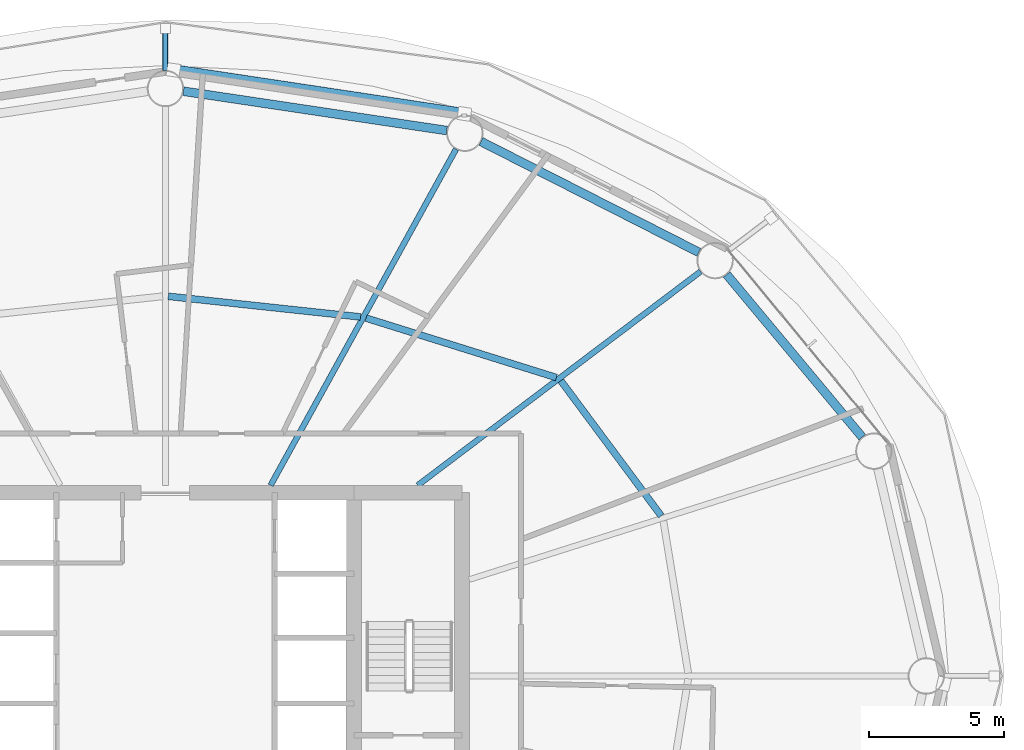
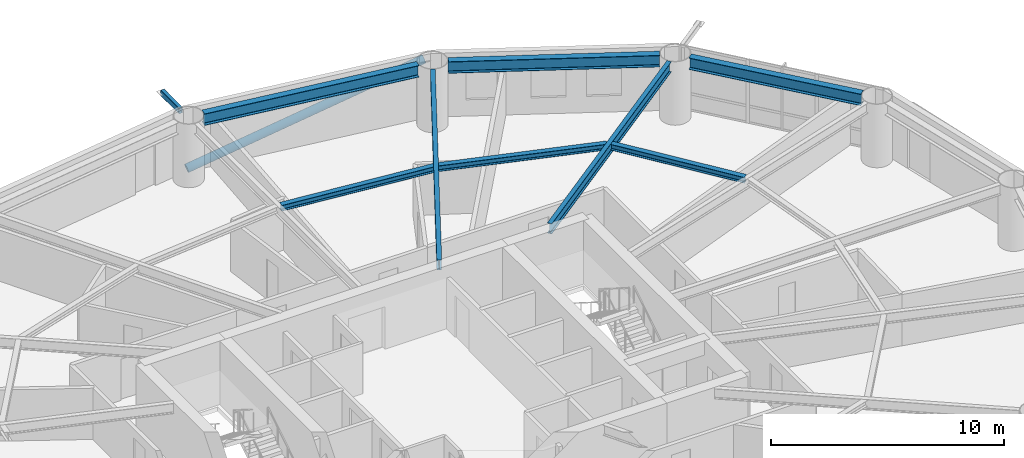
# One storey, part 11 of 24: 8 beams, 2 members.
"""IFC4 building model written with IfcOpenShell, lengths in metres."""

from ifc_helpers import new_model, si_unit, direction, frame, origin, origin_2d, place, context, subcontext, project, spatial, hollow_rectangle, hollow_circle, i_section, extrude, material, material_profile, profile_set, type_object, element, save


model = new_model("IFC4")

# Units and contexts
model_context = context("Model", 3, precision=1e-05, world=origin(), true_north=direction((0.0, 1.0)))
body_context = subcontext(model_context, "Body", "Model", "MODEL_VIEW")
ifc_project = project(units=[si_unit("LENGTHUNIT", "METRE"), si_unit("AREAUNIT", "SQUARE_METRE"), si_unit("VOLUMEUNIT", "CUBIC_METRE"), si_unit("PLANEANGLEUNIT", "RADIAN"), si_unit("MASSUNIT", "GRAM", prefix="KILO")], contexts=[model_context])

# Site, building, storey
site_placement = place(None, origin())
site = spatial("IfcSite", under=ifc_project, at=site_placement, CompositionType="ELEMENT")
building_placement = place(site_placement, origin())
building = spatial("IfcBuilding", under=site, at=building_placement, Name="Sarneth Arch Tower", CompositionType="ELEMENT")
storey_placement = place(building_placement, frame((0.0, 0.0, 130.800048828125)))
storey = spatial("IfcBuildingStorey", under=building, at=storey_placement, Name="L33", CompositionType="ELEMENT", Elevation=130.800048828125)

# Beams
ifc_material_1 = material(Name="Steel S355", Category="steel")
ifc_material_profile_1 = material_profile(ifc_material_1, i_section(OverallWidth=0.25390625, OverallDepth=0.305908203125, WebThickness=0.0087890625, FlangeThickness=0.0146484375, FilletRadius=0.014892578125, at=origin_2d()), Name="W310x79")
ifc_profile_set_1 = profile_set([ifc_material_profile_1], Name="Steel S355")
beam_type_1 = type_object("IfcBeamType", Name="BM-JOIST-310A", PredefinedType="JOIST", material=ifc_profile_set_1)
beam_1_placement = place(storey_placement, frame((66.3984375, 47.942626953125, 3.1669921875), z_axis=(-0.596354224217, 0.80272139579, 0.0), x_axis=(-0.80272139579, -0.596354224217, 0.0)))
element("IfcBeam", 1, at=beam_1_placement, inside=storey, type_object=beam_type_1, Name="L33 Secondary floor joist 02", PredefinedType="JOIST", context=body_context, shape_type="SweptSolid", body=[
    extrude(i_section(OverallWidth=0.25390625, OverallDepth=0.305908203125, WebThickness=0.0087890625, FlangeThickness=0.0146484375, FilletRadius=0.014892578125, at=origin_2d()), origin(), (0.0, 0.0, 1.0), 6.246337890625),
])
beam_2_placement = place(storey_placement, frame((62.509765625, 53.072998046875, 3.1669921875), z_axis=(-0.9544870201, 0.298252457594, 0.0), x_axis=(-0.298252457594, -0.9544870201, 0.0)))
element("IfcBeam", 2, at=beam_2_placement, inside=storey, type_object=beam_type_1, Name="L33 Secondary floor joist 03", PredefinedType="JOIST", context=body_context, shape_type="SweptSolid", body=[
    extrude(i_section(OverallWidth=0.25390625, OverallDepth=0.305908203125, WebThickness=0.0087890625, FlangeThickness=0.0146484375, FilletRadius=0.014892578125, at=origin_2d()), origin(), (0.0, 0.0, 1.0), 7.40234375),
])
beam_3_placement = place(storey_placement, frame((55.238525390625, 55.323486328125, 3.1669921875), z_axis=(-0.99429330851, 0.106680910441, 0.0), x_axis=(-0.106680910441, -0.99429330851, 0.0)))
element("IfcBeam", 3, at=beam_3_placement, inside=storey, type_object=beam_type_1, Name="L33 Secondary floor joist 04", PredefinedType="JOIST", context=body_context, shape_type="SweptSolid", body=[
    extrude(i_section(OverallWidth=0.25390625, OverallDepth=0.305908203125, WebThickness=0.0087890625, FlangeThickness=0.0146484375, FilletRadius=0.014892578125, at=origin_2d()), origin(), (0.0, 0.0, 1.0), 7.174560546875),
])
ifc_material_2 = material(Name="Steel S355", Category="steel")
ifc_material_profile_2 = material_profile(ifc_material_2, i_section(OverallWidth=0.2109375, OverallDepth=0.5390625, WebThickness=0.01171875, FlangeThickness=0.018798828125, FilletRadius=0.01806640625, at=origin_2d()), Name="W530x109")
ifc_profile_set_2 = profile_set([ifc_material_profile_2], Name="Steel S355")
beam_type_2 = type_object("IfcBeamType", Name="BM-RAD-530B", PredefinedType="BEAM", material=ifc_profile_set_2)
beam_4_placement = place(storey_placement, frame((57.36181640625, 49.074951171875, 3.050537109375), z_axis=(0.797801476102, 0.602920230818, 0.0), x_axis=(-0.602920230818, 0.797801476102, 0.0)))
element("IfcBeam", 4, at=beam_4_placement, inside=storey, type_object=beam_type_2, Name="L33 Radial floor girder 03", PredefinedType="BEAM", context=body_context, shape_type="SweptSolid", body=[
    extrude(i_section(OverallWidth=0.2109375, OverallDepth=0.5390625, WebThickness=0.01171875, FlangeThickness=0.018798828125, FilletRadius=0.01806640625, at=origin_2d()), origin(), (0.0, 0.0, 1.0), 13.15771484375),
])
beam_5_placement = place(storey_placement, frame((51.90283203125, 49.074951171875, 3.050537109375), z_axis=(0.48301301286, 0.875613173387, 0.0), x_axis=(-0.875613173387, 0.48301301286, 0.0)))
element("IfcBeam", 5, at=beam_5_placement, inside=storey, type_object=beam_type_2, Name="L33 Radial floor girder 04", PredefinedType="BEAM", context=body_context, shape_type="SweptSolid", body=[
    extrude(i_section(OverallWidth=0.2109375, OverallDepth=0.5390625, WebThickness=0.01171875, FlangeThickness=0.018798828125, FilletRadius=0.01806640625, at=origin_2d()), origin(), (0.0, 0.0, 1.0), 14.246826171875),
])
ifc_material_3 = material(Name="Steel S355", Category="steel")
ifc_material_profile_3 = material_profile(ifc_material_3, i_section(OverallWidth=0.323974609375, OverallDepth=0.611083984375, WebThickness=0.0126953125, FlangeThickness=0.01904296875, FilletRadius=0.01904296875, at=origin_2d()), Name="W610x155")
ifc_profile_set_3 = profile_set([ifc_material_profile_3], Name="Steel S355")
beam_type_3 = type_object("IfcBeamType", Name="BM-SPAN-610B", PredefinedType="SPANDREL", material=ifc_profile_set_3)
beam_6_placement = place(storey_placement, frame((73.859130859375, 50.861083984375, 3.014404296875), z_axis=(-0.640169116175, 0.768234015581, 0.0), x_axis=(-0.768234015581, -0.640169116175, 0.0)))
element("IfcBeam", 6, at=beam_6_placement, inside=storey, type_object=beam_type_3, Name="L33 Perimeter spandrel beam 02", PredefinedType="SPANDREL", context=body_context, shape_type="SweptSolid", body=[
    extrude(i_section(OverallWidth=0.323974609375, OverallDepth=0.611083984375, WebThickness=0.0126953125, FlangeThickness=0.01904296875, FilletRadius=0.01904296875, at=origin_2d()), origin(), (0.0, 0.0, 1.0), 7.856201171875),
])
beam_7_placement = place(storey_placement, frame((67.796142578125, 57.720947265625, 3.014404296875), z_axis=(-0.891255891792, 0.453500755619, 0.0), x_axis=(-0.453500755619, -0.891255891792, 0.0)))
element("IfcBeam", 7, at=beam_7_placement, inside=storey, type_object=beam_type_3, Name="L33 Perimeter spandrel beam 03", PredefinedType="SPANDREL", context=body_context, shape_type="SweptSolid", body=[
    extrude(i_section(OverallWidth=0.323974609375, OverallDepth=0.611083984375, WebThickness=0.0126953125, FlangeThickness=0.01904296875, FilletRadius=0.01904296875, at=origin_2d()), origin(), (0.0, 0.0, 1.0), 9.070556640625),
])
beam_8_placement = place(storey_placement, frame((58.442626953125, 62.240234375, 3.014404296875), z_axis=(-0.989029828744, 0.147715936359, 0.0), x_axis=(-0.147715936359, -0.989029828744, 0.0)))
element("IfcBeam", 8, at=beam_8_placement, inside=storey, type_object=beam_type_3, Name="L33 Perimeter spandrel beam 04", PredefinedType="SPANDREL", context=body_context, shape_type="SweptSolid", body=[
    extrude(i_section(OverallWidth=0.323974609375, OverallDepth=0.611083984375, WebThickness=0.0126953125, FlangeThickness=0.01904296875, FilletRadius=0.01904296875, at=origin_2d()), origin(), (0.0, 0.0, 1.0), 9.883544921875),
])

# Members
ifc_material_4 = material(Name="Steel S355", Category="steel")
ifc_material_profile_4 = material_profile(ifc_material_4, hollow_rectangle(XDim=0.199951171875, YDim=0.300048828125, WallThickness=0.012451171875, InnerFilletRadius=0.018798828125, OuterFilletRadius=0.03125, at=origin_2d()), Name="RHS300x200x12.5")
ifc_profile_set_4 = profile_set([ifc_material_profile_4], Name="Steel S355")
member_type_1 = type_object("IfcMemberType", Name="MEM-CANT-STRUT", PredefinedType="STRUT", material=ifc_profile_set_4)
member_1_placement = place(storey_placement, frame((48.0, 64.47509765625, 3.159912109375), z_axis=(0.0, 1.0, 0.0), x_axis=(-1.0, 0.0, 0.0)))
element("IfcMember", 9, at=member_1_placement, inside=storey, type_object=member_type_1, Name="L33 Balcony cantilever bracket 05", PredefinedType="STRUT", context=body_context, shape_type="SweptSolid", body=[
    extrude(hollow_rectangle(XDim=0.199951171875, YDim=0.300048828125, WallThickness=0.012451171875, InnerFilletRadius=0.018798828125, OuterFilletRadius=0.03125, at=origin_2d()), origin(), (0.0, 0.0, 1.0), 1.55419921875),
])
ifc_material_5 = material(Name="Steel S355", Category="steel")
ifc_material_profile_5 = material_profile(ifc_material_5, hollow_circle(Radius=0.202880859375, WallThickness=0.01611328125, at=origin_2d()), Name="CHS406x16")
ifc_profile_set_5 = profile_set([ifc_material_profile_5], Name="Steel S355")
member_type_2 = type_object("IfcMemberType", Name="MEM-DIAG-BR2", PredefinedType="BRACE", material=ifc_profile_set_5)
member_2_placement = place(storey_placement, frame((48.296630859375, 64.4853515625, 0.02001953125), z_axis=(0.954983745501, -0.143805810843, 0.25947241587), x_axis=(0.148905755657, 0.988851392239, 0.0)))
element("IfcMember", 10, at=member_2_placement, inside=storey, type_object=member_type_2, Name="L33 Perimeter frame diagonal 04", PredefinedType="BRACE", context=body_context, shape_type="SweptSolid", body=[
    extrude(hollow_circle(Radius=0.202880859375, WallThickness=0.01611328125, at=origin_2d()), origin(), (0.0, 0.0, 1.0), 11.30517578125),
])

save(model, "model.ifc")
